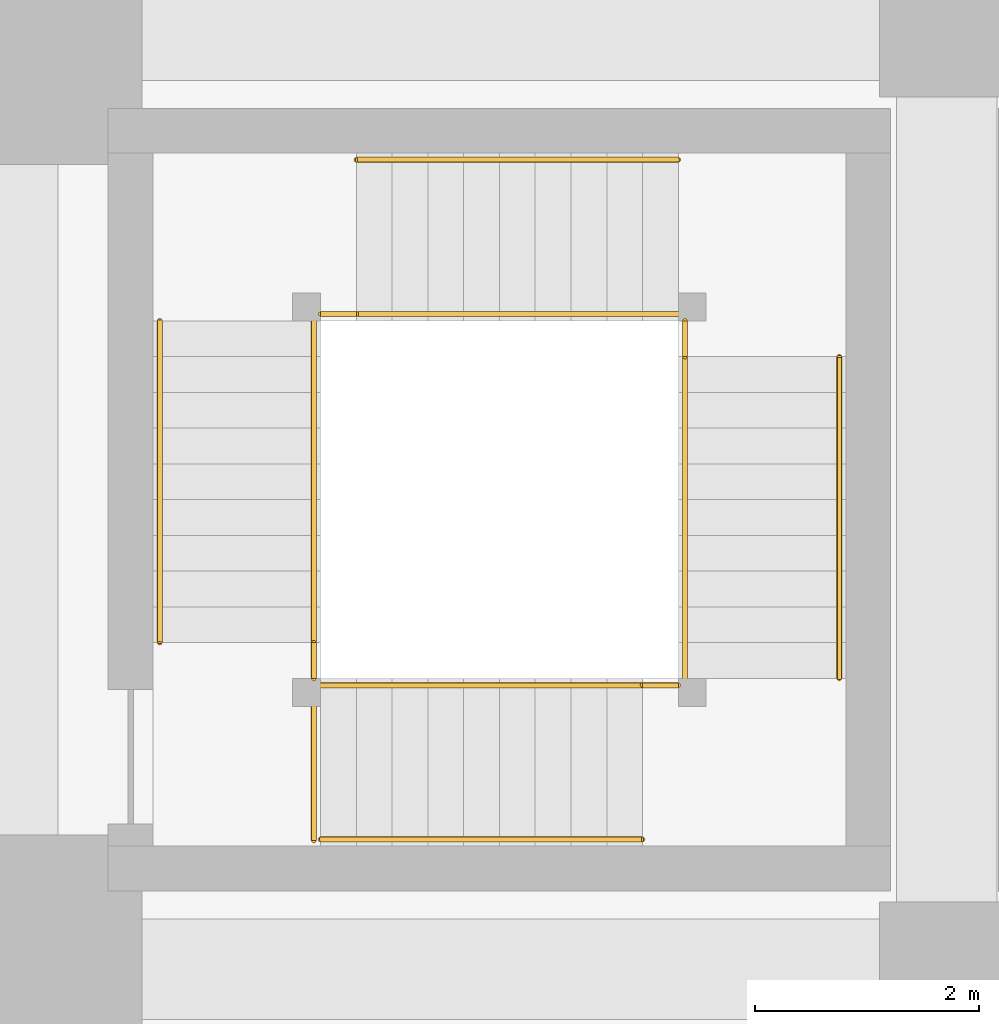
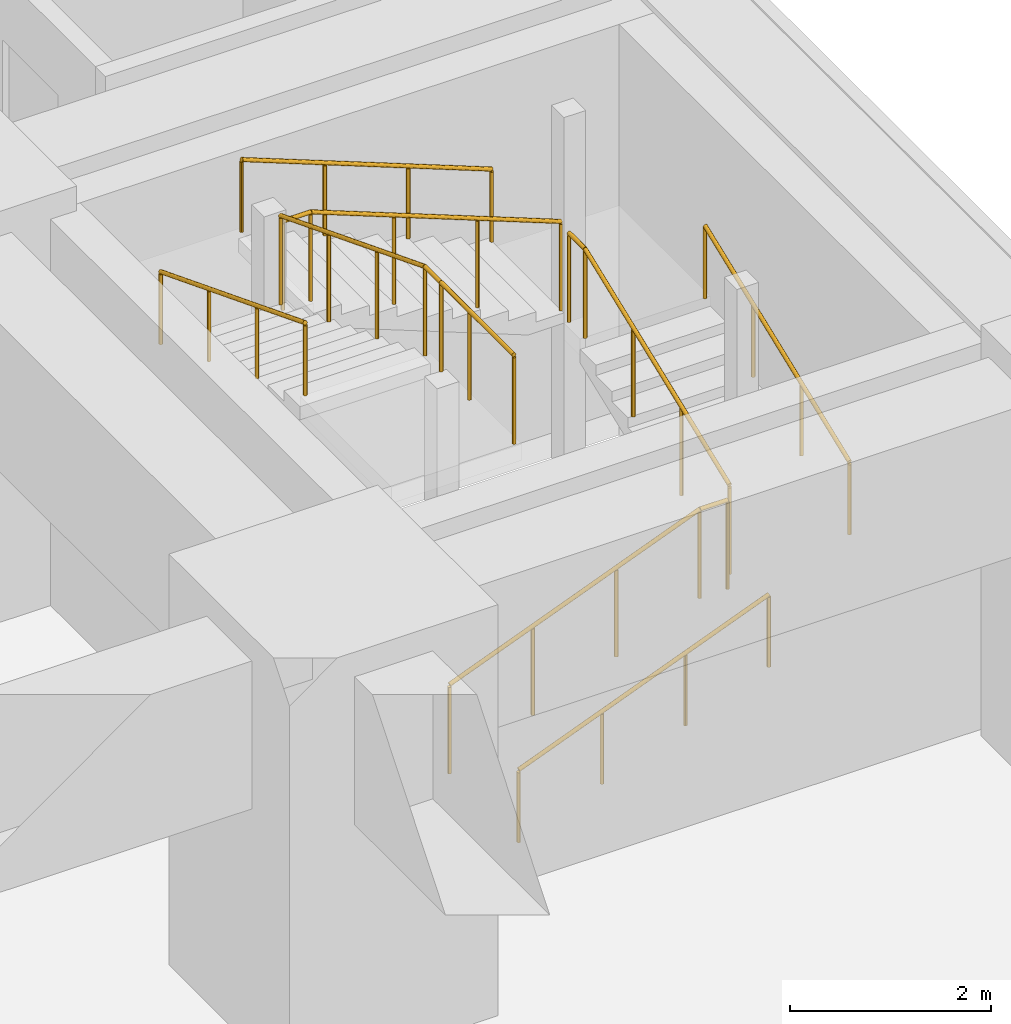
# One storey, part 48 of 48: 13 railings.
"""IFC4 building model written with IfcOpenShell, lengths in metres."""

from ifc_helpers import new_model, si_unit, direction, frame, origin, origin_2d, place, context, subcontext, project, spatial, circle, extrude, material, type_object, element, save


model = new_model("IFC4")

# Units and contexts
model_context = context("Model", 3, precision=1e-05, world=origin(), true_north=direction((0.0, 1.0)))
body_context = subcontext(model_context, "Body", "Model", "MODEL_VIEW")
ifc_project = project(units=[si_unit("LENGTHUNIT", "METRE"), si_unit("AREAUNIT", "SQUARE_METRE"), si_unit("VOLUMEUNIT", "CUBIC_METRE"), si_unit("PLANEANGLEUNIT", "RADIAN"), si_unit("MASSUNIT", "GRAM", prefix="KILO")], contexts=[model_context])

# Site, building, storey
site_placement = place(None, origin())
site = spatial("IfcSite", under=ifc_project, at=site_placement, CompositionType="ELEMENT")
building_placement = place(site_placement, origin())
building = spatial("IfcBuilding", under=site, at=building_placement, Name="Rekha Terrace Tower", CompositionType="ELEMENT")
storey_placement = place(building_placement, frame((0.0, 0.0, 15.39990234375)))
storey = spatial("IfcBuildingStorey", under=building, at=storey_placement, Name="L03", CompositionType="ELEMENT", Elevation=15.39990234375)

# Railings
ifc_material_1 = material(Name="Stainless steel balustrade", Category="steel")
railing_type_1 = type_object("IfcRailingType", Name="GR1 1100 stair guard", PredefinedType="GUARDRAIL", material=ifc_material_1)
railing_1_placement = place(storey_placement, frame((70.0, 27.739990234375, 0.125)))
element("IfcRailing", 1, at=railing_1_placement, inside=storey, type_object=railing_type_1, Name="Guard SP2 L03 flight 1", PredefinedType="GUARDRAIL", context=body_context, shape_type="SweptSolid", body=[
    extrude(circle(Radius=0.02392578125, at=origin_2d()), frame((0.0, 0.0, 1.076171875), z_axis=(0.931452331594, 0.0, 0.363863372667), x_axis=(0.0, 1.0, 0.0)), (0.0, 0.0, 1.0), 3.091796875),
    extrude(circle(Radius=0.02099609375, at=origin_2d()), origin(), (0.0, 0.0, 1.0), 1.052001953125),
    extrude(circle(Radius=0.02099609375, at=origin_2d()), frame((0.9599609375, 0.0, 0.375)), (0.0, 0.0, 1.0), 1.052001953125),
    extrude(circle(Radius=0.02099609375, at=origin_2d()), frame((1.919921875, 0.0, 0.75)), (0.0, 0.0, 1.0), 1.052001953125),
    extrude(circle(Radius=0.02099609375, at=origin_2d()), frame((2.8798828125, 0.0, 1.125)), (0.0, 0.0, 1.0), 1.052001953125),
])
railing_2_placement = place(storey_placement, frame((73.260009765625, 27.800048828125, 1.375)))
element("IfcRailing", 2, at=railing_2_placement, inside=storey, type_object=railing_type_1, Name="Guard SP2 L03 flight 2", PredefinedType="GUARDRAIL", context=body_context, shape_type="SweptSolid", body=[
    extrude(circle(Radius=0.02392578125, at=origin_2d()), frame((0.0, 0.0, 1.076171875), z_axis=(0.0, 0.931452331594, 0.363863372667), x_axis=(-1.0, 0.0, 0.0)), (0.0, 0.0, 1.0), 3.091796875),
    extrude(circle(Radius=0.02099609375, at=origin_2d()), origin(), (0.0, 0.0, 1.0), 1.052001953125),
    extrude(circle(Radius=0.02099609375, at=origin_2d()), frame((0.0, 0.9599609375, 0.375)), (0.0, 0.0, 1.0), 1.052001953125),
    extrude(circle(Radius=0.02099609375, at=origin_2d()), frame((0.0, 1.919921875, 0.75)), (0.0, 0.0, 1.0), 1.052001953125),
    extrude(circle(Radius=0.02099609375, at=origin_2d()), frame((0.0, 2.8798828125, 1.125)), (0.0, 0.0, 1.0), 1.052001953125),
])
railing_3_placement = place(storey_placement, frame((73.199951171875, 31.06005859375, 2.625)))
element("IfcRailing", 3, at=railing_3_placement, inside=storey, type_object=railing_type_1, Name="Guard SP2 L03 flight 3", PredefinedType="GUARDRAIL", context=body_context, shape_type="SweptSolid", body=[
    extrude(circle(Radius=0.02392578125, at=origin_2d()), frame((0.0, 0.0, 1.076171875), z_axis=(-0.931452331594, 0.0, 0.363863372667), x_axis=(0.0, -1.0, 0.0)), (0.0, 0.0, 1.0), 3.091796875),
    extrude(circle(Radius=0.02099609375, at=origin_2d()), origin(), (0.0, 0.0, 1.0), 1.052001953125),
    extrude(circle(Radius=0.02099609375, at=origin_2d()), frame((-0.9599609375, 0.0, 0.375)), (0.0, 0.0, 1.0), 1.052001953125),
    extrude(circle(Radius=0.02099609375, at=origin_2d()), frame((-1.919921875, 0.0, 0.75)), (0.0, 0.0, 1.0), 1.052001953125),
    extrude(circle(Radius=0.02099609375, at=origin_2d()), frame((-2.8798828125, 0.0, 1.125)), (0.0, 0.0, 1.0), 1.052001953125),
])
railing_4_placement = place(storey_placement, frame((69.93994140625, 31.0, 3.875)))
element("IfcRailing", 4, at=railing_4_placement, inside=storey, type_object=railing_type_1, Name="Guard SP2 L03 flight 4", PredefinedType="GUARDRAIL", context=body_context, shape_type="SweptSolid", body=[
    extrude(circle(Radius=0.02392578125, at=origin_2d()), frame((0.0, 0.0, 1.076171875), z_axis=(0.0, -0.931452331594, 0.363863372667), x_axis=(1.0, 0.0, 0.0)), (0.0, 0.0, 1.0), 3.091796875),
    extrude(circle(Radius=0.02099609375, at=origin_2d()), origin(), (0.0, 0.0, 1.0), 1.052001953125),
    extrude(circle(Radius=0.02099609375, at=origin_2d()), frame((0.0, -0.9599609375, 0.375)), (0.0, 0.0, 1.0), 1.052001953125),
    extrude(circle(Radius=0.02099609375, at=origin_2d()), frame((0.0, -1.919921875, 0.75)), (0.0, 0.0, 1.0), 1.052001953125),
    extrude(circle(Radius=0.02099609375, at=origin_2d()), frame((0.0, -2.8798828125, 1.125)), (0.0, 0.0, 1.0), 1.052001953125),
])
railing_5_placement = place(storey_placement, frame((72.8798828125, 27.739990234375, 1.25)))
element("IfcRailing", 5, at=railing_5_placement, inside=storey, type_object=railing_type_1, Name="Guard SP2 L03 landing 1", PredefinedType="GUARDRAIL", context=body_context, shape_type="SweptSolid", body=[
    extrude(circle(Radius=0.02392578125, at=origin_2d()), frame((0.0, 0.0, 1.076171875), z_axis=(1.0, 0.0, 0.0), x_axis=(0.0, 1.0, 0.0)), (0.0, 0.0, 1.0), 0.320068359375),
    extrude(circle(Radius=0.02099609375, at=origin_2d()), origin(), (0.0, 0.0, 1.0), 1.052001953125),
    extrude(circle(Radius=0.02099609375, at=origin_2d()), frame((0.320068359375, 0.0, 0.0)), (0.0, 0.0, 1.0), 1.052001953125),
])
railing_6_placement = place(storey_placement, frame((73.260009765625, 30.679931640625, 2.5)))
element("IfcRailing", 6, at=railing_6_placement, inside=storey, type_object=railing_type_1, Name="Guard SP2 L03 landing 2", PredefinedType="GUARDRAIL", context=body_context, shape_type="SweptSolid", body=[
    extrude(circle(Radius=0.02392578125, at=origin_2d()), frame((0.0, 0.0, 1.076171875), z_axis=(0.0, 1.0, 0.0), x_axis=(-1.0, 0.0, 0.0)), (0.0, 0.0, 1.0), 0.320068359375),
    extrude(circle(Radius=0.02099609375, at=origin_2d()), origin(), (0.0, 0.0, 1.0), 1.052001953125),
    extrude(circle(Radius=0.02099609375, at=origin_2d()), frame((0.0, 0.320068359375, 0.0)), (0.0, 0.0, 1.0), 1.052001953125),
])
railing_7_placement = place(storey_placement, frame((70.0, 31.06005859375, 3.75)))
element("IfcRailing", 7, at=railing_7_placement, inside=storey, type_object=railing_type_1, Name="Guard SP2 L03 landing 3", PredefinedType="GUARDRAIL", context=body_context, shape_type="SweptSolid", body=[
    extrude(circle(Radius=0.02392578125, at=origin_2d()), frame((0.0, 0.0, 1.076171875), z_axis=(1.0, 0.0, 0.0), x_axis=(0.0, 1.0, 0.0)), (0.0, 0.0, 1.0), 0.320068359375),
    extrude(circle(Radius=0.02099609375, at=origin_2d()), origin(), (0.0, 0.0, 1.0), 1.052001953125),
    extrude(circle(Radius=0.02099609375, at=origin_2d()), frame((0.320068359375, 0.0, 0.0)), (0.0, 0.0, 1.0), 1.052001953125),
])
railing_8_placement = place(storey_placement, frame((69.93994140625, 27.800048828125, 5.0)))
element("IfcRailing", 8, at=railing_8_placement, inside=storey, type_object=railing_type_1, Name="Guard SP2 L03 landing 4", PredefinedType="GUARDRAIL", context=body_context, shape_type="SweptSolid", body=[
    extrude(circle(Radius=0.02392578125, at=origin_2d()), frame((0.0, 0.0, 1.076171875), z_axis=(0.0, 1.0, 0.0), x_axis=(-1.0, 0.0, 0.0)), (0.0, 0.0, 1.0), 0.320068359375),
    extrude(circle(Radius=0.02099609375, at=origin_2d()), origin(), (0.0, 0.0, 1.0), 1.052001953125),
    extrude(circle(Radius=0.02099609375, at=origin_2d()), frame((0.0, 0.320068359375, 0.0)), (0.0, 0.0, 1.0), 1.052001953125),
])
railing_9_placement = place(storey_placement, frame((69.93994140625, 26.35009765625, 5.0)))
element("IfcRailing", 9, at=railing_9_placement, inside=storey, type_object=railing_type_1, Name="Guard SP2 L03 landing 5", PredefinedType="GUARDRAIL", context=body_context, shape_type="SweptSolid", body=[
    extrude(circle(Radius=0.02392578125, at=origin_2d()), frame((0.0, 0.0, 1.076171875), z_axis=(0.0, 1.0, 0.0), x_axis=(-1.0, 0.0, 0.0)), (0.0, 0.0, 1.0), 1.77001953125),
    extrude(circle(Radius=0.02099609375, at=origin_2d()), origin(), (0.0, 0.0, 1.0), 1.052001953125),
    extrude(circle(Radius=0.02099609375, at=origin_2d()), frame((0.0, 0.885009765625, 0.0)), (0.0, 0.0, 1.0), 1.052001953125),
    extrude(circle(Radius=0.02099609375, at=origin_2d()), frame((0.0, 1.77001953125, 0.0)), (0.0, 0.0, 1.0), 1.052001953125),
])
ifc_material_2 = material(Name="Stainless steel tube", Category="steel")
railing_type_2 = type_object("IfcRailingType", Name="HR1 900 stair handrail", PredefinedType="HANDRAIL", material=ifc_material_2)
railing_10_placement = place(storey_placement, frame((70.0, 26.360107421875, 0.125)))
element("IfcRailing", 10, at=railing_10_placement, inside=storey, type_object=railing_type_2, Name="Handrail SP2 L03 flight 1", PredefinedType="HANDRAIL", context=body_context, shape_type="SweptSolid", body=[
    extrude(circle(Radius=0.02392578125, at=origin_2d()), frame((0.0, 0.0, 0.8759765625), z_axis=(0.931452331594, 0.0, 0.363863372667), x_axis=(0.0, 1.0, 0.0)), (0.0, 0.0, 1.0), 3.091796875),
    extrude(circle(Radius=0.02099609375, at=origin_2d()), origin(), (0.0, 0.0, 1.0), 0.851806640625),
    extrude(circle(Radius=0.02099609375, at=origin_2d()), frame((0.9599609375, 0.0, 0.375)), (0.0, 0.0, 1.0), 0.851806640625),
    extrude(circle(Radius=0.02099609375, at=origin_2d()), frame((1.919921875, 0.0, 0.75)), (0.0, 0.0, 1.0), 0.851806640625),
    extrude(circle(Radius=0.02099609375, at=origin_2d()), frame((2.8798828125, 0.0, 1.125)), (0.0, 0.0, 1.0), 0.851806640625),
])
railing_11_placement = place(storey_placement, frame((74.639892578125, 27.800048828125, 1.375)))
element("IfcRailing", 11, at=railing_11_placement, inside=storey, type_object=railing_type_2, Name="Handrail SP2 L03 flight 2", PredefinedType="HANDRAIL", context=body_context, shape_type="SweptSolid", body=[
    extrude(circle(Radius=0.02392578125, at=origin_2d()), frame((0.0, 0.0, 0.8759765625), z_axis=(0.0, 0.931452331594, 0.363863372667), x_axis=(-1.0, 0.0, 0.0)), (0.0, 0.0, 1.0), 3.091796875),
    extrude(circle(Radius=0.02099609375, at=origin_2d()), origin(), (0.0, 0.0, 1.0), 0.851806640625),
    extrude(circle(Radius=0.02099609375, at=origin_2d()), frame((0.0, 0.9599609375, 0.375)), (0.0, 0.0, 1.0), 0.851806640625),
    extrude(circle(Radius=0.02099609375, at=origin_2d()), frame((0.0, 1.919921875, 0.75)), (0.0, 0.0, 1.0), 0.851806640625),
    extrude(circle(Radius=0.02099609375, at=origin_2d()), frame((0.0, 2.8798828125, 1.125)), (0.0, 0.0, 1.0), 0.851806640625),
])
railing_12_placement = place(storey_placement, frame((73.199951171875, 32.43994140625, 2.625)))
element("IfcRailing", 12, at=railing_12_placement, inside=storey, type_object=railing_type_2, Name="Handrail SP2 L03 flight 3", PredefinedType="HANDRAIL", context=body_context, shape_type="SweptSolid", body=[
    extrude(circle(Radius=0.02392578125, at=origin_2d()), frame((0.0, 0.0, 0.8759765625), z_axis=(-0.931452331594, 0.0, 0.363863372667), x_axis=(0.0, -1.0, 0.0)), (0.0, 0.0, 1.0), 3.091796875),
    extrude(circle(Radius=0.02099609375, at=origin_2d()), origin(), (0.0, 0.0, 1.0), 0.851806640625),
    extrude(circle(Radius=0.02099609375, at=origin_2d()), frame((-0.9599609375, 0.0, 0.375)), (0.0, 0.0, 1.0), 0.851806640625),
    extrude(circle(Radius=0.02099609375, at=origin_2d()), frame((-1.919921875, 0.0, 0.75)), (0.0, 0.0, 1.0), 0.851806640625),
    extrude(circle(Radius=0.02099609375, at=origin_2d()), frame((-2.8798828125, 0.0, 1.125)), (0.0, 0.0, 1.0), 0.851806640625),
])
railing_13_placement = place(storey_placement, frame((68.56005859375, 31.0, 3.875)))
element("IfcRailing", 13, at=railing_13_placement, inside=storey, type_object=railing_type_2, Name="Handrail SP2 L03 flight 4", PredefinedType="HANDRAIL", context=body_context, shape_type="SweptSolid", body=[
    extrude(circle(Radius=0.02392578125, at=origin_2d()), frame((0.0, 0.0, 0.8759765625), z_axis=(0.0, -0.931452331594, 0.363863372667), x_axis=(1.0, 0.0, 0.0)), (0.0, 0.0, 1.0), 3.091796875),
    extrude(circle(Radius=0.02099609375, at=origin_2d()), origin(), (0.0, 0.0, 1.0), 0.851806640625),
    extrude(circle(Radius=0.02099609375, at=origin_2d()), frame((0.0, -0.9599609375, 0.375)), (0.0, 0.0, 1.0), 0.851806640625),
    extrude(circle(Radius=0.02099609375, at=origin_2d()), frame((0.0, -1.919921875, 0.75)), (0.0, 0.0, 1.0), 0.851806640625),
    extrude(circle(Radius=0.02099609375, at=origin_2d()), frame((0.0, -2.8798828125, 1.125)), (0.0, 0.0, 1.0), 0.851806640625),
])

save(model, "model.ifc")
